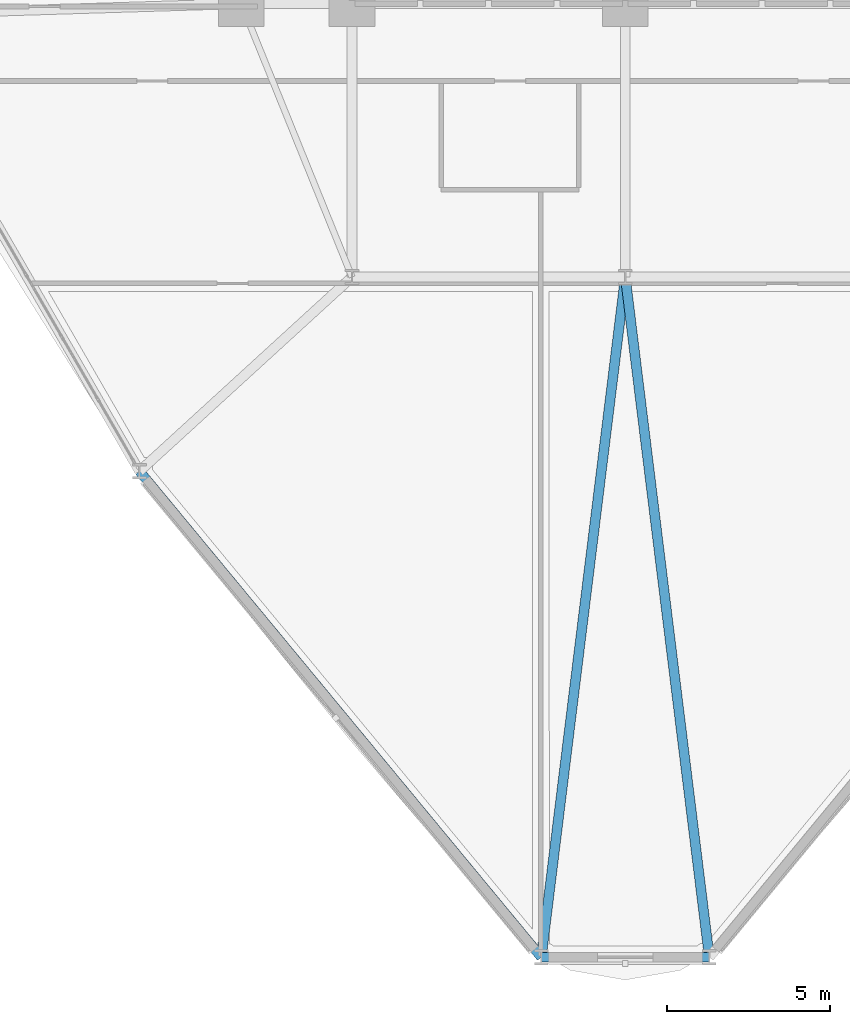
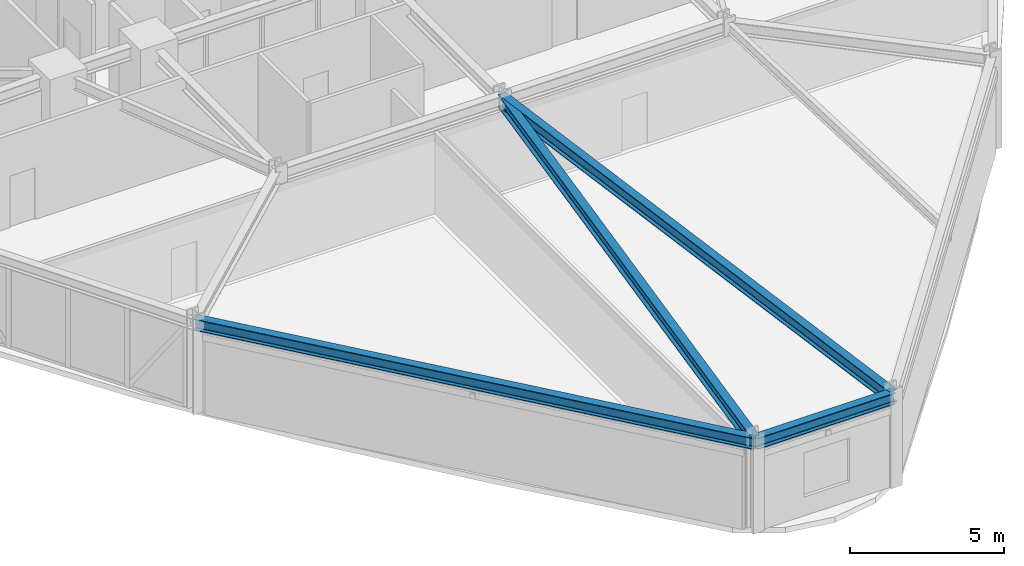
# One storey, part 3 of 21: 4 beams.
"""IFC4 building model written with IfcOpenShell, lengths in metres."""

from ifc_helpers import new_model, si_unit, derived_unit, direction, frame, origin, origin_2d, place, context, subcontext, project, spatial, i_section, extrude, source, transform, mapped, material, material_profile, profile_set, type_object, element, save


model = new_model("IFC4")

# Units and contexts
model_context = context("Model", 3, precision=1e-05, world=origin(), true_north=direction((0.0, 1.0)))
body_context = subcontext(model_context, "Body", "Model", "MODEL_VIEW")
ifc_project = project(units=[si_unit("LENGTHUNIT", "METRE"), si_unit("AREAUNIT", "SQUARE_METRE"), si_unit("VOLUMEUNIT", "CUBIC_METRE"), si_unit("PLANEANGLEUNIT", "RADIAN"), si_unit("MASSUNIT", "GRAM", prefix="KILO"), derived_unit("THERMALTRANSMITTANCEUNIT", [(si_unit("POWERUNIT", "WATT"), 1), (si_unit("LENGTHUNIT", "METRE"), -2), (si_unit("THERMODYNAMICTEMPERATUREUNIT", "KELVIN"), -1)])], contexts=[model_context])

# Site, building, storey
site_placement = place(None, origin())
site = spatial("IfcSite", under=ifc_project, at=site_placement, CompositionType="ELEMENT")
building_placement = place(site_placement, origin())
building = spatial("IfcBuilding", under=site, at=building_placement, Name="Korsvarv Bourse and Concert Hall", CompositionType="ELEMENT")
storey_placement = place(building_placement, frame((0.0, 0.0, 27.89990234375)))
storey = spatial("IfcBuildingStorey", under=building, at=storey_placement, Name="L06", CompositionType="ELEMENT", Elevation=27.89990234375)

# Beams
ifc_material = material(Name="Steel S355", Category="steel")
ifc_material_profile_1 = material_profile(ifc_material, i_section(OverallWidth=0.300048828125, OverallDepth=0.449951171875, WebThickness=0.013916015625, FlangeThickness=0.02587890625, FilletRadius=0.02099609375, at=origin_2d()), Name="HEB 450")
ifc_profile_set_1 = profile_set([ifc_material_profile_1], Name="Steel S355")
beam_type_1 = type_object("IfcBeamType", Name="BM-HEB450", PredefinedType="SPANDREL", material=ifc_profile_set_1)
shared_shape_1 = source(origin(), body_context, "Body", "SweptSolid", [
    extrude(i_section(OverallWidth=0.300048828125, OverallDepth=0.449951171875, WebThickness=0.013916015625, FlangeThickness=0.02587890625, FilletRadius=0.02099609375, at=origin_2d()), origin(), (0.0, 0.0, 1.0), 5.16357421875),
])
beam_1_placement = place(storey_placement, frame((33.418212890625, 3.09375, 3.455078125), z_axis=(1.0, 0.0, 0.0), x_axis=(0.0, 1.0, 0.0)))
element("IfcBeam", 1, at=beam_1_placement, inside=storey, type_object=beam_type_1, Name="L06 beam B-08", PredefinedType="SPANDREL", context=body_context, shape_type="MappedRepresentation", body=[
    mapped(shared_shape_1, transform((0.0, 0.0, 0.0), scale=1.0)),
])
shared_shape_2 = source(origin(), body_context, "Body", "SweptSolid", [
    extrude(i_section(OverallWidth=0.300048828125, OverallDepth=0.449951171875, WebThickness=0.013916015625, FlangeThickness=0.02587890625, FilletRadius=0.02099609375, at=origin_2d()), origin(), (0.0, 0.0, 1.0), 19.380126953125),
])
beam_2_placement = place(storey_placement, frame((21.06787109375, 18.02880859375, 3.455078125), z_axis=(0.637270402598, -0.770640275338, 0.0), x_axis=(0.770640275338, 0.637270402598, 0.0)))
element("IfcBeam", 2, at=beam_2_placement, inside=storey, type_object=beam_type_1, Name="L06 beam B-08", PredefinedType="SPANDREL", context=body_context, shape_type="MappedRepresentation", body=[
    mapped(shared_shape_2, transform((0.0, 0.0, 0.0), scale=1.0)),
])
ifc_material_profile_2 = material_profile(ifc_material, i_section(OverallWidth=0.300048828125, OverallDepth=0.5, WebThickness=0.014404296875, FlangeThickness=0.028076171875, FilletRadius=0.02392578125, at=origin_2d()), Name="HEB 500")
ifc_profile_set_2 = profile_set([ifc_material_profile_2], Name="Steel S355")
beam_type_2 = type_object("IfcBeamType", Name="BM-HEB500", PredefinedType="BEAM", material=ifc_profile_set_2)
shared_shape_3 = source(origin(), body_context, "Body", "SweptSolid", [
    extrude(i_section(OverallWidth=0.300048828125, OverallDepth=0.5, WebThickness=0.014404296875, FlangeThickness=0.028076171875, FilletRadius=0.02392578125, at=origin_2d()), origin(), (0.0, 0.0, 1.0), 21.065185546875),
])
for number, where, z_axis, x_axis, name in (
    (3, (33.418212890625, 3.09375, 3.43017578125), (0.122562510678, 0.992460795687, 0.0), (-0.992460795687, 0.122562510678, 0.0), "L06 beam B-07"),
    (4, (38.581787109375, 3.09375, 3.43017578125), (-0.122562510678, 0.992460795687, 0.0), (-0.992460795687, -0.122562510678, 0.0), "L06 beam B-07"),
):
    element("IfcBeam", number, at=place(storey_placement, frame(where, z_axis=z_axis, x_axis=x_axis)), inside=storey, type_object=beam_type_2, Name=name, PredefinedType="BEAM", context=body_context, shape_type="MappedRepresentation", body=[
        mapped(shared_shape_3, transform((0.0, 0.0, 0.0), scale=1.0)),
    ])

save(model, "model.ifc")
